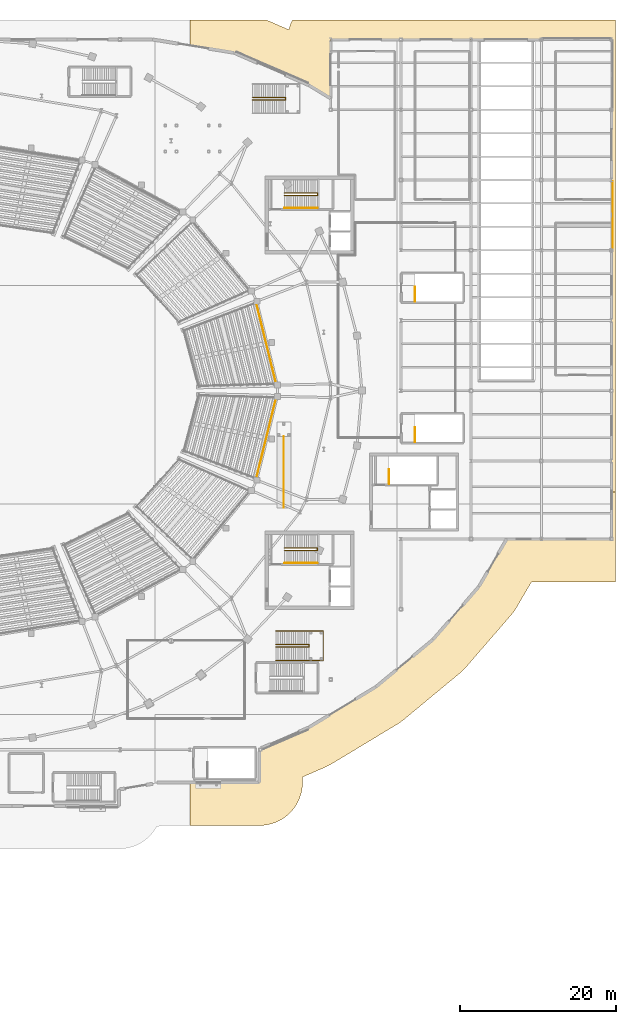
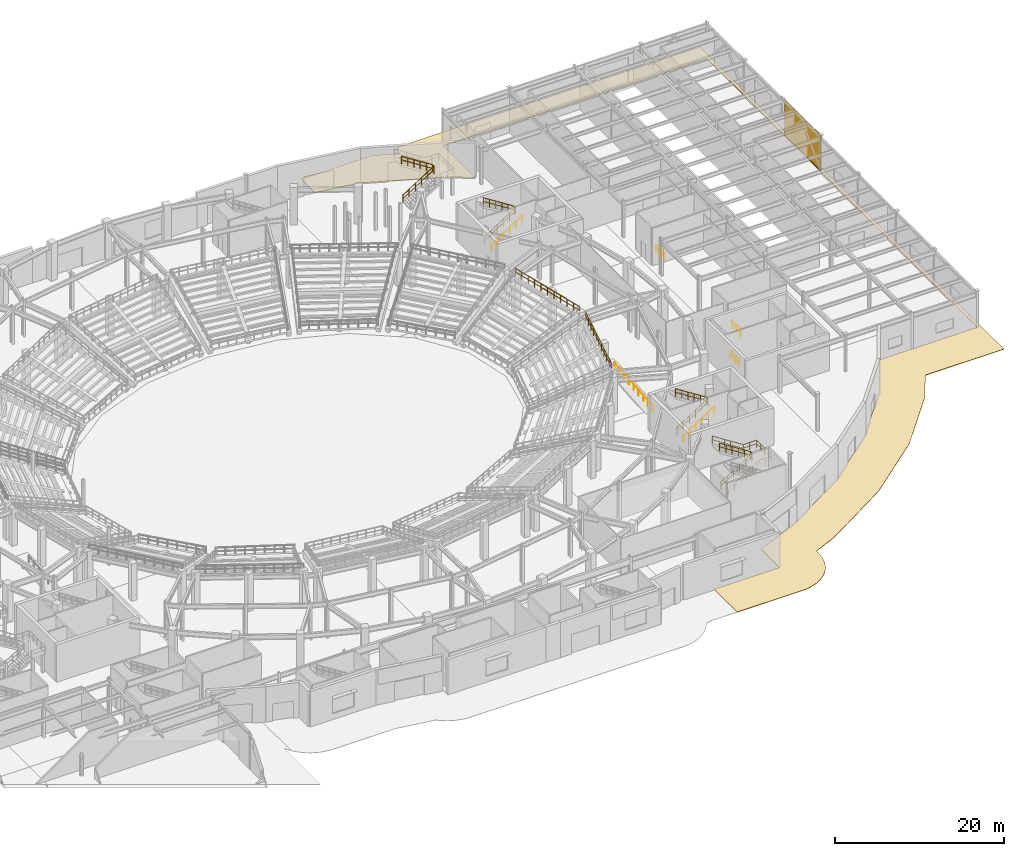
# One storey, part 78 of 79: 13 railings, 3 coverings.
"""IFC4 building model written with IfcOpenShell, lengths in metres."""

from ifc_helpers import new_model, si_unit, direction, frame, origin, origin_2d, place, context, subcontext, project, spatial, polyline, rectangle, circle, outline, extrude, material, layer, layer_set, type_object, element, save


model = new_model("IFC4")

# Units and contexts
model_context = context("Model", 3, precision=1e-05, world=origin(), true_north=direction((0.0, 1.0)))
body_context = subcontext(model_context, "Body", "Model", "MODEL_VIEW")
ifc_project = project(units=[si_unit("LENGTHUNIT", "METRE"), si_unit("AREAUNIT", "SQUARE_METRE"), si_unit("VOLUMEUNIT", "CUBIC_METRE"), si_unit("PLANEANGLEUNIT", "RADIAN"), si_unit("MASSUNIT", "GRAM", prefix="KILO")], contexts=[model_context])

# Site, building, storey
site_placement = place(None, origin())
site = spatial("IfcSite", under=ifc_project, at=site_placement, CompositionType="ELEMENT")
building_placement = place(site_placement, origin())
building = spatial("IfcBuilding", under=site, at=building_placement, Name="Glasvene Arena", CompositionType="ELEMENT")
storey_placement = place(building_placement, origin())
storey = spatial("IfcBuildingStorey", under=building, at=storey_placement, Name="L00", CompositionType="ELEMENT", Elevation=0.0)

# Coverings
ifc_material_1 = material(Name="Coursed pale Irish limestone", Category="masonry")
ifc_layer_1 = layer(ifc_material_1, 0.050048828125)
ifc_layer_set_1 = layer_set([ifc_layer_1], Name="Coursed pale Irish limestone")
covering_type_1 = type_object("IfcCoveringType", Name="COV-CLAD-LIM", PredefinedType="CLADDING", material=ifc_layer_set_1)
covering_1_placement = place(storey_placement, frame((174.139892578125, 95.501708984375, 0.0), z_axis=(0.0, 0.0, 1.0), x_axis=(0.0, -1.0, 0.0)))
element("IfcCovering", 1, at=covering_1_placement, inside=storey, type_object=covering_type_1, Name="Braced bay architectural cladding screen L00-039", PredefinedType="CLADDING", context=body_context, shape_type="SweptSolid", body=[
    extrude(rectangle(XDim=8.6328125, YDim=0.050048828125, at=origin_2d()), origin(), (0.0, 0.0, 1.0), 5.1201171875),
])
ifc_material_2 = material(Name="Irish silver-grey granite paving", Category="masonry")
ifc_layer_2 = layer(ifc_material_2, 0.06005859375)
ifc_layer_set_2 = layer_set([ifc_layer_2], Name="Irish silver-grey granite paving")
covering_type_2 = type_object("IfcCoveringType", Name="COV-PLAZA-GRAN", PredefinedType="FLOORING", material=ifc_layer_set_2)
covering_2_placement = place(storey_placement, frame((143.87646484375, 30.844970703125, -0.06005859375)))
element("IfcCovering", 2, at=covering_2_placement, inside=storey, type_object=covering_type_2, Name="Perimeter granite street plaza paving 05", PredefinedType="FLOORING", context=body_context, shape_type="SweptSolid", body=[
    extrude(outline(polyline([(30.62353515625, 17.6796875), (30.12353515625, 17.655029296875), (19.857666015625, 17.655029296875), (17.88916015625, 14.29150390625), (17.613525390625, 13.866943359375), (17.30029296875, 13.469482421875), (11.409423828125, 6.666015625), (11.09814453125, 6.335205078125), (10.7607421875, 6.03125), (3.4384765625, -0.036376953125), (3.114990234375, -0.28466796875), (2.774169921875, -0.50830078125), (-5.799072265625, -5.6904296875), (-6.45556640625, -6.029296875), (-9.4765625, -7.33935546875), (-9.4765625, -8.044921875), (-9.5029296875, -8.583984375), (-9.582275390625, -9.117919921875), (-9.71337890625, -9.6416015625), (-9.895263671875, -10.149658203125), (-10.1259765625, -10.6376953125), (-10.4033203125, -11.1005859375), (-10.724853515625, -11.5341796875), (-11.08740234375, -11.93408203125), (-11.4873046875, -12.296630859375), (-11.9208984375, -12.6181640625), (-12.3837890625, -12.8955078125), (-12.87158203125, -13.126220703125), (-13.3798828125, -13.30810546875), (-13.903564453125, -13.439208984375), (-14.437255859375, -13.5185546875), (-14.9765625, -13.544921875), (-23.87646484375, -13.544921875), (-23.87646484375, -8.054931640625), (-14.9765625, -8.054931640625), (-14.966552734375, -3.736328125), (-8.638916015625, -0.9921875), (-0.065673828125, 4.18994140625), (7.2578125, 10.258544921875), (13.150390625, 17.063720703125), (16.709716796875, 23.14501953125), (30.12353515625, 23.14501953125), (30.133544921875, 29.155029296875), (30.62353515625, 29.155029296875), (30.62353515625, 17.6796875)])), origin(), (0.0, 0.0, 1.0), 0.06005859375),
])
covering_3_placement = place(storey_placement, frame((142.3369140625, 110.20947265625, -0.06005859375)))
element("IfcCovering", 3, at=covering_3_placement, inside=storey, type_object=covering_type_2, Name="Perimeter granite street plaza paving 06", PredefinedType="FLOORING", context=body_context, shape_type="SweptSolid", body=[
    extrude(outline(polyline([(-12.56103515625, 10.29052734375), (-9.68603515625, 9.043701171875), (-9.60009765625, 9.38720703125), (-9.418212890625, 9.895263671875), (-9.231201171875, 10.29052734375), (32.1630859375, 10.29052734375), (32.1630859375, -50.20947265625), (31.673095703125, -50.20947265625), (31.673095703125, 7.79052734375), (-4.3388671875, 7.80029296875), (-4.346923828125, 0.27392578125), (-7.1005859375, 1.938232421875), (-16.714599609375, 6.107666015625), (-22.3369140625, 7.021240234375), (-22.3369140625, 10.29052734375), (-12.56103515625, 10.29052734375)])), origin(), (0.0, 0.0, 1.0), 0.06005859375),
])

# Railings
ifc_material_3 = material(Name="Brushed stainless steel", Category="steel")
railing_type_1 = type_object("IfcRailingType", Name="RL-GUARD-1100", PredefinedType="GUARDRAIL", material=ifc_material_3)
railing_1_placement = place(storey_placement, frame((132.10009765625, 98.010009765625, 0.0)))
element("IfcRailing", 4, at=railing_1_placement, inside=storey, type_object=railing_type_1, Name="Stair inner well continuous guardrail ST-02-L00", PredefinedType="GUARDRAIL", context=body_context, shape_type="SweptSolid", body=[
    extrude(circle(Radius=0.02392578125, at=origin_2d()), frame((0.0, 0.0, 1.076171875), z_axis=(0.843501457581, 0.0, 0.537126885437), x_axis=(0.0, 1.0, 0.0)), (0.0, 0.0, 1.0), 5.026611328125),
    extrude(circle(Radius=0.01611328125, at=origin_2d()), frame((0.0, 0.0, 0.550048828125), z_axis=(0.843501457581, 0.0, 0.537126885437), x_axis=(0.0, 1.0, 0.0)), (0.0, 0.0, 1.0), 5.026611328125),
    extrude(circle(Radius=0.02392578125, at=origin_2d()), frame((4.239990234375, 0.0, 3.77587890625), z_axis=(0.0, 1.0, 0.0), x_axis=(-1.0, 0.0, 0.0)), (0.0, 0.0, 1.0), 0.330078125),
    extrude(circle(Radius=0.01611328125, at=origin_2d()), frame((4.239990234375, 0.0, 3.25), z_axis=(0.0, 1.0, 0.0), x_axis=(-1.0, 0.0, 0.0)), (0.0, 0.0, 1.0), 0.330078125),
    extrude(circle(Radius=0.02392578125, at=origin_2d()), frame((4.239990234375, 0.330078125, 3.77587890625), z_axis=(-0.843501457581, 0.0, 0.537126885437), x_axis=(0.0, -1.0, 0.0)), (0.0, 0.0, 1.0), 5.026611328125),
    extrude(circle(Radius=0.01611328125, at=origin_2d()), frame((4.239990234375, 0.330078125, 3.25), z_axis=(-0.843501457581, 0.0, 0.537126885437), x_axis=(0.0, -1.0, 0.0)), (0.0, 0.0, 1.0), 5.026611328125),
    extrude(circle(Radius=0.02099609375, at=origin_2d()), origin(), (0.0, 0.0, 1.0), 1.052001953125),
    extrude(circle(Radius=0.02099609375, at=origin_2d()), frame((0.847900390625, 0.0, 0.5400390625)), (0.0, 0.0, 1.0), 1.052001953125),
    extrude(circle(Radius=0.02099609375, at=origin_2d()), frame((1.696044921875, 0.0, 1.080078125)), (0.0, 0.0, 1.0), 1.052001953125),
    extrude(circle(Radius=0.02099609375, at=origin_2d()), frame((2.5439453125, 0.0, 1.619873046875)), (0.0, 0.0, 1.0), 1.052001953125),
    extrude(circle(Radius=0.02099609375, at=origin_2d()), frame((3.39208984375, 0.0, 2.159912109375)), (0.0, 0.0, 1.0), 1.052001953125),
    extrude(circle(Radius=0.02099609375, at=origin_2d()), frame((4.239990234375, 0.0, 2.699951171875)), (0.0, 0.0, 1.0), 1.052001953125),
    extrude(circle(Radius=0.02099609375, at=origin_2d()), frame((4.239990234375, 0.330078125, 2.699951171875)), (0.0, 0.0, 1.0), 1.052001953125),
    extrude(circle(Radius=0.02099609375, at=origin_2d()), frame((3.39208984375, 0.330078125, 3.239990234375)), (0.0, 0.0, 1.0), 1.052001953125),
    extrude(circle(Radius=0.02099609375, at=origin_2d()), frame((2.5439453125, 0.330078125, 3.780029296875)), (0.0, 0.0, 1.0), 1.052001953125),
    extrude(circle(Radius=0.02099609375, at=origin_2d()), frame((1.696044921875, 0.330078125, 4.31982421875)), (0.0, 0.0, 1.0), 1.052001953125),
    extrude(circle(Radius=0.02099609375, at=origin_2d()), frame((0.847900390625, 0.330078125, 4.85986328125)), (0.0, 0.0, 1.0), 1.052001953125),
    extrude(circle(Radius=0.02099609375, at=origin_2d()), frame((0.0, 0.330078125, 5.39990234375)), (0.0, 0.0, 1.0), 1.052001953125),
])
railing_2_placement = place(storey_placement, frame((132.10009765625, 52.510009765625, 0.0)))
element("IfcRailing", 5, at=railing_2_placement, inside=storey, type_object=railing_type_1, Name="Stair inner well continuous guardrail ST-04-L00", PredefinedType="GUARDRAIL", context=body_context, shape_type="SweptSolid", body=[
    extrude(circle(Radius=0.02392578125, at=origin_2d()), frame((0.0, 0.0, 1.076171875), z_axis=(0.843501457581, 0.0, 0.537126885437), x_axis=(0.0, 1.0, 0.0)), (0.0, 0.0, 1.0), 5.026611328125),
    extrude(circle(Radius=0.01611328125, at=origin_2d()), frame((0.0, 0.0, 0.550048828125), z_axis=(0.843501457581, 0.0, 0.537126885437), x_axis=(0.0, 1.0, 0.0)), (0.0, 0.0, 1.0), 5.026611328125),
    extrude(circle(Radius=0.02392578125, at=origin_2d()), frame((4.239990234375, 0.0, 3.77587890625), z_axis=(0.0, 1.0, 0.0), x_axis=(-1.0, 0.0, 0.0)), (0.0, 0.0, 1.0), 0.330078125),
    extrude(circle(Radius=0.01611328125, at=origin_2d()), frame((4.239990234375, 0.0, 3.25), z_axis=(0.0, 1.0, 0.0), x_axis=(-1.0, 0.0, 0.0)), (0.0, 0.0, 1.0), 0.330078125),
    extrude(circle(Radius=0.02392578125, at=origin_2d()), frame((4.239990234375, 0.330078125, 3.77587890625), z_axis=(-0.843501457581, 0.0, 0.537126885437), x_axis=(0.0, -1.0, 0.0)), (0.0, 0.0, 1.0), 5.026611328125),
    extrude(circle(Radius=0.01611328125, at=origin_2d()), frame((4.239990234375, 0.330078125, 3.25), z_axis=(-0.843501457581, 0.0, 0.537126885437), x_axis=(0.0, -1.0, 0.0)), (0.0, 0.0, 1.0), 5.026611328125),
    extrude(circle(Radius=0.02099609375, at=origin_2d()), origin(), (0.0, 0.0, 1.0), 1.052001953125),
    extrude(circle(Radius=0.02099609375, at=origin_2d()), frame((0.847900390625, 0.0, 0.5400390625)), (0.0, 0.0, 1.0), 1.052001953125),
    extrude(circle(Radius=0.02099609375, at=origin_2d()), frame((1.696044921875, 0.0, 1.080078125)), (0.0, 0.0, 1.0), 1.052001953125),
    extrude(circle(Radius=0.02099609375, at=origin_2d()), frame((2.5439453125, 0.0, 1.619873046875)), (0.0, 0.0, 1.0), 1.052001953125),
    extrude(circle(Radius=0.02099609375, at=origin_2d()), frame((3.39208984375, 0.0, 2.159912109375)), (0.0, 0.0, 1.0), 1.052001953125),
    extrude(circle(Radius=0.02099609375, at=origin_2d()), frame((4.239990234375, 0.0, 2.699951171875)), (0.0, 0.0, 1.0), 1.052001953125),
    extrude(circle(Radius=0.02099609375, at=origin_2d()), frame((4.239990234375, 0.330078125, 2.699951171875)), (0.0, 0.0, 1.0), 1.052001953125),
    extrude(circle(Radius=0.02099609375, at=origin_2d()), frame((3.39208984375, 0.330078125, 3.239990234375)), (0.0, 0.0, 1.0), 1.052001953125),
    extrude(circle(Radius=0.02099609375, at=origin_2d()), frame((2.5439453125, 0.330078125, 3.780029296875)), (0.0, 0.0, 1.0), 1.052001953125),
    extrude(circle(Radius=0.02099609375, at=origin_2d()), frame((1.696044921875, 0.330078125, 4.31982421875)), (0.0, 0.0, 1.0), 1.052001953125),
    extrude(circle(Radius=0.02099609375, at=origin_2d()), frame((0.847900390625, 0.330078125, 4.85986328125)), (0.0, 0.0, 1.0), 1.052001953125),
    extrude(circle(Radius=0.02099609375, at=origin_2d()), frame((0.0, 0.330078125, 5.39990234375)), (0.0, 0.0, 1.0), 1.052001953125),
])
railing_3_placement = place(storey_placement, frame((145.5, 61.050048828125, 0.0)))
element("IfcRailing", 6, at=railing_3_placement, inside=storey, type_object=railing_type_1, Name="Stair top landing well guard ST-B01", PredefinedType="GUARDRAIL", context=body_context, shape_type="SweptSolid", body=[
    extrude(circle(Radius=0.02392578125, at=origin_2d()), frame((0.0, 0.0, 1.076171875), z_axis=(0.0, 1.0, 0.0), x_axis=(-1.0, 0.0, 0.0)), (0.0, 0.0, 1.0), 1.89990234375),
    extrude(circle(Radius=0.01611328125, at=origin_2d()), frame((0.0, 0.0, 0.550048828125), z_axis=(0.0, 1.0, 0.0), x_axis=(-1.0, 0.0, 0.0)), (0.0, 0.0, 1.0), 1.89990234375),
    extrude(circle(Radius=0.02099609375, at=origin_2d()), origin(), (0.0, 0.0, 1.0), 1.052001953125),
    extrude(circle(Radius=0.02099609375, at=origin_2d()), frame((0.0, 0.949951171875, 0.0)), (0.0, 0.0, 1.0), 1.052001953125),
    extrude(circle(Radius=0.02099609375, at=origin_2d()), frame((0.0, 1.89990234375, 0.0)), (0.0, 0.0, 1.0), 1.052001953125),
])
for number, where, name in (
    (7, (148.800048828125, 66.39990234375, 0.0), "Stair top landing well guard ST-B04"),
    (8, (148.800048828125, 84.39990234375, 0.0), "Stair top landing well guard ST-B05"),
):
    element("IfcRailing", number, at=place(storey_placement, frame(where)), inside=storey, type_object=railing_type_1, Name=name, PredefinedType="GUARDRAIL", context=body_context, shape_type="SweptSolid", body=[
        extrude(circle(Radius=0.02392578125, at=origin_2d()), frame((0.0, 0.0, 1.076171875), z_axis=(0.0, 1.0, 0.0), x_axis=(-1.0, 0.0, 0.0)), (0.0, 0.0, 1.0), 1.900146484375),
        extrude(circle(Radius=0.01611328125, at=origin_2d()), frame((0.0, 0.0, 0.550048828125), z_axis=(0.0, 1.0, 0.0), x_axis=(-1.0, 0.0, 0.0)), (0.0, 0.0, 1.0), 1.900146484375),
        extrude(circle(Radius=0.02099609375, at=origin_2d()), origin(), (0.0, 0.0, 1.0), 1.052001953125),
        extrude(circle(Radius=0.02099609375, at=origin_2d()), frame((0.0, 0.9501953125, 0.0)), (0.0, 0.0, 1.0), 1.052001953125),
        extrude(circle(Radius=0.02099609375, at=origin_2d()), frame((0.0, 1.900146484375, 0.0)), (0.0, 0.0, 1.0), 1.052001953125),
    ])
railing_4_placement = place(storey_placement, frame((131.0, 38.449951171875, 0.0)))
element("IfcRailing", 9, at=railing_4_placement, inside=storey, type_object=railing_type_1, Name="Vomitory Stair outer guard VOM-02", PredefinedType="GUARDRAIL", context=body_context, shape_type="SweptSolid", body=[
    extrude(circle(Radius=0.02392578125, at=origin_2d()), frame((0.0, 0.0, 1.076171875), z_axis=(0.841180064094, 0.0, 0.540755119968), x_axis=(0.0, 1.0, 0.0)), (0.0, 0.0, 1.0), 4.992919921875),
    extrude(circle(Radius=0.01611328125, at=origin_2d()), frame((0.0, 0.0, 0.550048828125), z_axis=(0.841180064094, 0.0, 0.540755119968), x_axis=(0.0, 1.0, 0.0)), (0.0, 0.0, 1.0), 4.992919921875),
    extrude(circle(Radius=0.02392578125, at=origin_2d()), frame((4.199951171875, 0.0, 3.77587890625), z_axis=(1.0, 0.0, 0.0), x_axis=(0.0, 1.0, 0.0)), (0.0, 0.0, 1.0), 1.85009765625),
    extrude(circle(Radius=0.01611328125, at=origin_2d()), frame((4.199951171875, 0.0, 3.25), z_axis=(1.0, 0.0, 0.0), x_axis=(0.0, 1.0, 0.0)), (0.0, 0.0, 1.0), 1.85009765625),
    extrude(circle(Radius=0.02392578125, at=origin_2d()), frame((6.050048828125, 0.0, 3.77587890625), z_axis=(0.0, 1.0, 0.0), x_axis=(-1.0, 0.0, 0.0)), (0.0, 0.0, 1.0), 3.75),
    extrude(circle(Radius=0.01611328125, at=origin_2d()), frame((6.050048828125, 0.0, 3.25), z_axis=(0.0, 1.0, 0.0), x_axis=(-1.0, 0.0, 0.0)), (0.0, 0.0, 1.0), 3.75),
    extrude(circle(Radius=0.02392578125, at=origin_2d()), frame((6.050048828125, 3.75, 3.77587890625), z_axis=(-1.0, 0.0, 0.0), x_axis=(0.0, -1.0, 0.0)), (0.0, 0.0, 1.0), 1.85009765625),
    extrude(circle(Radius=0.01611328125, at=origin_2d()), frame((6.050048828125, 3.75, 3.25), z_axis=(-1.0, 0.0, 0.0), x_axis=(0.0, -1.0, 0.0)), (0.0, 0.0, 1.0), 1.85009765625),
    extrude(circle(Radius=0.02392578125, at=origin_2d()), frame((4.199951171875, 3.75, 3.77587890625), z_axis=(-0.841180064094, 0.0, 0.540755119968), x_axis=(0.0, -1.0, 0.0)), (0.0, 0.0, 1.0), 4.992919921875),
    extrude(circle(Radius=0.01611328125, at=origin_2d()), frame((4.199951171875, 3.75, 3.25), z_axis=(-0.841180064094, 0.0, 0.540755119968), x_axis=(0.0, -1.0, 0.0)), (0.0, 0.0, 1.0), 4.992919921875),
    extrude(circle(Radius=0.02099609375, at=origin_2d()), origin(), (0.0, 0.0, 1.0), 1.052001953125),
    extrude(circle(Radius=0.02099609375, at=origin_2d()), frame((0.840087890625, 0.0, 0.5400390625)), (0.0, 0.0, 1.0), 1.052001953125),
    extrude(circle(Radius=0.02099609375, at=origin_2d()), frame((1.679931640625, 0.0, 1.080078125)), (0.0, 0.0, 1.0), 1.052001953125),
    extrude(circle(Radius=0.02099609375, at=origin_2d()), frame((2.52001953125, 0.0, 1.619873046875)), (0.0, 0.0, 1.0), 1.052001953125),
    extrude(circle(Radius=0.02099609375, at=origin_2d()), frame((3.35986328125, 0.0, 2.159912109375)), (0.0, 0.0, 1.0), 1.052001953125),
    extrude(circle(Radius=0.02099609375, at=origin_2d()), frame((4.199951171875, 0.0, 2.699951171875)), (0.0, 0.0, 1.0), 1.052001953125),
    extrude(circle(Radius=0.02099609375, at=origin_2d()), frame((5.125, 0.0, 2.699951171875)), (0.0, 0.0, 1.0), 1.052001953125),
    extrude(circle(Radius=0.02099609375, at=origin_2d()), frame((6.050048828125, 0.0, 2.699951171875)), (0.0, 0.0, 1.0), 1.052001953125),
    extrude(circle(Radius=0.02099609375, at=origin_2d()), frame((6.050048828125, 0.9375, 2.699951171875)), (0.0, 0.0, 1.0), 1.052001953125),
    extrude(circle(Radius=0.02099609375, at=origin_2d()), frame((6.050048828125, 1.875, 2.699951171875)), (0.0, 0.0, 1.0), 1.052001953125),
    extrude(circle(Radius=0.02099609375, at=origin_2d()), frame((6.050048828125, 2.8125, 2.699951171875)), (0.0, 0.0, 1.0), 1.052001953125),
    extrude(circle(Radius=0.02099609375, at=origin_2d()), frame((6.050048828125, 3.75, 2.699951171875)), (0.0, 0.0, 1.0), 1.052001953125),
    extrude(circle(Radius=0.02099609375, at=origin_2d()), frame((5.125, 3.75, 2.699951171875)), (0.0, 0.0, 1.0), 1.052001953125),
    extrude(circle(Radius=0.02099609375, at=origin_2d()), frame((4.199951171875, 3.75, 2.699951171875)), (0.0, 0.0, 1.0), 1.052001953125),
    extrude(circle(Radius=0.02099609375, at=origin_2d()), frame((3.35986328125, 3.75, 3.239990234375)), (0.0, 0.0, 1.0), 1.052001953125),
    extrude(circle(Radius=0.02099609375, at=origin_2d()), frame((2.52001953125, 3.75, 3.780029296875)), (0.0, 0.0, 1.0), 1.052001953125),
    extrude(circle(Radius=0.02099609375, at=origin_2d()), frame((1.679931640625, 3.75, 4.31982421875)), (0.0, 0.0, 1.0), 1.052001953125),
    extrude(circle(Radius=0.02099609375, at=origin_2d()), frame((0.840087890625, 3.75, 4.85986328125)), (0.0, 0.0, 1.0), 1.052001953125),
    extrude(circle(Radius=0.02099609375, at=origin_2d()), frame((0.0, 3.75, 5.39990234375)), (0.0, 0.0, 1.0), 1.052001953125),
])
railing_5_placement = place(storey_placement, frame((131.0, 40.159912109375, 0.0)))
element("IfcRailing", 10, at=railing_5_placement, inside=storey, type_object=railing_type_1, Name="Vomitory Stair inner well guard VOM-02", PredefinedType="GUARDRAIL", context=body_context, shape_type="SweptSolid", body=[
    extrude(circle(Radius=0.02392578125, at=origin_2d()), frame((0.0, 0.0, 1.076171875), z_axis=(0.843501457581, 0.0, 0.537126885437), x_axis=(0.0, 1.0, 0.0)), (0.0, 0.0, 1.0), 5.026611328125),
    extrude(circle(Radius=0.01611328125, at=origin_2d()), frame((0.0, 0.0, 0.550048828125), z_axis=(0.843501457581, 0.0, 0.537126885437), x_axis=(0.0, 1.0, 0.0)), (0.0, 0.0, 1.0), 5.026611328125),
    extrude(circle(Radius=0.02392578125, at=origin_2d()), frame((4.239990234375, 0.0, 3.77587890625), z_axis=(0.0, 1.0, 0.0), x_axis=(-1.0, 0.0, 0.0)), (0.0, 0.0, 1.0), 0.330078125),
    extrude(circle(Radius=0.01611328125, at=origin_2d()), frame((4.239990234375, 0.0, 3.25), z_axis=(0.0, 1.0, 0.0), x_axis=(-1.0, 0.0, 0.0)), (0.0, 0.0, 1.0), 0.330078125),
    extrude(circle(Radius=0.02392578125, at=origin_2d()), frame((4.239990234375, 0.330078125, 3.77587890625), z_axis=(-0.843501457581, 0.0, 0.537126885437), x_axis=(0.0, -1.0, 0.0)), (0.0, 0.0, 1.0), 5.026611328125),
    extrude(circle(Radius=0.01611328125, at=origin_2d()), frame((4.239990234375, 0.330078125, 3.25), z_axis=(-0.843501457581, 0.0, 0.537126885437), x_axis=(0.0, -1.0, 0.0)), (0.0, 0.0, 1.0), 5.026611328125),
    extrude(circle(Radius=0.02099609375, at=origin_2d()), origin(), (0.0, 0.0, 1.0), 1.052001953125),
    extrude(circle(Radius=0.02099609375, at=origin_2d()), frame((0.847900390625, 0.0, 0.5400390625)), (0.0, 0.0, 1.0), 1.052001953125),
    extrude(circle(Radius=0.02099609375, at=origin_2d()), frame((1.696044921875, 0.0, 1.080078125)), (0.0, 0.0, 1.0), 1.052001953125),
    extrude(circle(Radius=0.02099609375, at=origin_2d()), frame((2.5439453125, 0.0, 1.619873046875)), (0.0, 0.0, 1.0), 1.052001953125),
    extrude(circle(Radius=0.02099609375, at=origin_2d()), frame((3.39208984375, 0.0, 2.159912109375)), (0.0, 0.0, 1.0), 1.052001953125),
    extrude(circle(Radius=0.02099609375, at=origin_2d()), frame((4.239990234375, 0.0, 2.699951171875)), (0.0, 0.0, 1.0), 1.052001953125),
    extrude(circle(Radius=0.02099609375, at=origin_2d()), frame((4.239990234375, 0.330078125, 2.699951171875)), (0.0, 0.0, 1.0), 1.052001953125),
    extrude(circle(Radius=0.02099609375, at=origin_2d()), frame((3.39208984375, 0.330078125, 3.239990234375)), (0.0, 0.0, 1.0), 1.052001953125),
    extrude(circle(Radius=0.02099609375, at=origin_2d()), frame((2.5439453125, 0.330078125, 3.780029296875)), (0.0, 0.0, 1.0), 1.052001953125),
    extrude(circle(Radius=0.02099609375, at=origin_2d()), frame((1.696044921875, 0.330078125, 4.31982421875)), (0.0, 0.0, 1.0), 1.052001953125),
    extrude(circle(Radius=0.02099609375, at=origin_2d()), frame((0.847900390625, 0.330078125, 4.85986328125)), (0.0, 0.0, 1.0), 1.052001953125),
    extrude(circle(Radius=0.02099609375, at=origin_2d()), frame((0.0, 0.330078125, 5.39990234375)), (0.0, 0.0, 1.0), 1.052001953125),
])
railing_6_placement = place(storey_placement, frame((128.0, 110.260009765625, 0.0)))
element("IfcRailing", 11, at=railing_6_placement, inside=storey, type_object=railing_type_1, Name="Vomitory Stair inner well guard VOM-04", PredefinedType="GUARDRAIL", context=body_context, shape_type="SweptSolid", body=[
    extrude(circle(Radius=0.02392578125, at=origin_2d()), frame((0.0, 0.0, 1.076171875), z_axis=(0.843501457581, 0.0, 0.537126885437), x_axis=(0.0, 1.0, 0.0)), (0.0, 0.0, 1.0), 5.026611328125),
    extrude(circle(Radius=0.01611328125, at=origin_2d()), frame((0.0, 0.0, 0.550048828125), z_axis=(0.843501457581, 0.0, 0.537126885437), x_axis=(0.0, 1.0, 0.0)), (0.0, 0.0, 1.0), 5.026611328125),
    extrude(circle(Radius=0.02392578125, at=origin_2d()), frame((4.239990234375, 0.0, 3.77587890625), z_axis=(0.0, 1.0, 0.0), x_axis=(-1.0, 0.0, 0.0)), (0.0, 0.0, 1.0), 0.330078125),
    extrude(circle(Radius=0.01611328125, at=origin_2d()), frame((4.239990234375, 0.0, 3.25), z_axis=(0.0, 1.0, 0.0), x_axis=(-1.0, 0.0, 0.0)), (0.0, 0.0, 1.0), 0.330078125),
    extrude(circle(Radius=0.02392578125, at=origin_2d()), frame((4.239990234375, 0.330078125, 3.77587890625), z_axis=(-0.843501457581, 0.0, 0.537126885437), x_axis=(0.0, -1.0, 0.0)), (0.0, 0.0, 1.0), 5.026611328125),
    extrude(circle(Radius=0.01611328125, at=origin_2d()), frame((4.239990234375, 0.330078125, 3.25), z_axis=(-0.843501457581, 0.0, 0.537126885437), x_axis=(0.0, -1.0, 0.0)), (0.0, 0.0, 1.0), 5.026611328125),
    extrude(circle(Radius=0.02099609375, at=origin_2d()), origin(), (0.0, 0.0, 1.0), 1.052001953125),
    extrude(circle(Radius=0.02099609375, at=origin_2d()), frame((0.847900390625, 0.0, 0.5400390625)), (0.0, 0.0, 1.0), 1.052001953125),
    extrude(circle(Radius=0.02099609375, at=origin_2d()), frame((1.696044921875, 0.0, 1.080078125)), (0.0, 0.0, 1.0), 1.052001953125),
    extrude(circle(Radius=0.02099609375, at=origin_2d()), frame((2.5439453125, 0.0, 1.619873046875)), (0.0, 0.0, 1.0), 1.052001953125),
    extrude(circle(Radius=0.02099609375, at=origin_2d()), frame((3.39208984375, 0.0, 2.159912109375)), (0.0, 0.0, 1.0), 1.052001953125),
    extrude(circle(Radius=0.02099609375, at=origin_2d()), frame((4.239990234375, 0.0, 2.699951171875)), (0.0, 0.0, 1.0), 1.052001953125),
    extrude(circle(Radius=0.02099609375, at=origin_2d()), frame((4.239990234375, 0.330078125, 2.699951171875)), (0.0, 0.0, 1.0), 1.052001953125),
    extrude(circle(Radius=0.02099609375, at=origin_2d()), frame((3.39208984375, 0.330078125, 3.239990234375)), (0.0, 0.0, 1.0), 1.052001953125),
    extrude(circle(Radius=0.02099609375, at=origin_2d()), frame((2.5439453125, 0.330078125, 3.780029296875)), (0.0, 0.0, 1.0), 1.052001953125),
    extrude(circle(Radius=0.02099609375, at=origin_2d()), frame((1.696044921875, 0.330078125, 4.31982421875)), (0.0, 0.0, 1.0), 1.052001953125),
    extrude(circle(Radius=0.02099609375, at=origin_2d()), frame((0.847900390625, 0.330078125, 4.85986328125)), (0.0, 0.0, 1.0), 1.052001953125),
    extrude(circle(Radius=0.02099609375, at=origin_2d()), frame((0.0, 0.330078125, 5.39990234375)), (0.0, 0.0, 1.0), 1.052001953125),
])
railing_7_placement = place(storey_placement, frame((131.06982421875, 73.716552734375, 4.93994140625)))
element("IfcRailing", 12, at=railing_7_placement, inside=storey, type_object=railing_type_1, Name="Safety guardrail GD-TL-LR-01-001", PredefinedType="GUARDRAIL", context=body_context, shape_type="SweptSolid", body=[
    extrude(circle(Radius=0.02392578125, at=origin_2d()), frame((0.0, 0.0, 1.076171875), z_axis=(-0.239000734446, 0.971019386487, 0.0), x_axis=(-0.971019386487, -0.239000734446, 0.0)), (0.0, 0.0, 1.0), 11.02294921875),
    extrude(circle(Radius=0.01611328125, at=origin_2d()), frame((0.0, 0.0, 0.550048828125), z_axis=(-0.239000734446, 0.971019386487, 0.0), x_axis=(-0.971019386487, -0.239000734446, 0.0)), (0.0, 0.0, 1.0), 11.02294921875),
    extrude(circle(Radius=0.02099609375, at=origin_2d()), origin(), (0.0, 0.0, 1.0), 1.052001953125),
    extrude(circle(Radius=0.02099609375, at=origin_2d()), frame((-0.263427734375, 1.0703125, 0.0)), (0.0, 0.0, 1.0), 1.052001953125),
    extrude(circle(Radius=0.02099609375, at=origin_2d()), frame((-0.52685546875, 2.140625, 0.0)), (0.0, 0.0, 1.0), 1.052001953125),
    extrude(circle(Radius=0.02099609375, at=origin_2d()), frame((-0.790283203125, 3.211181640625, 0.0)), (0.0, 0.0, 1.0), 1.052001953125),
    extrude(circle(Radius=0.02099609375, at=origin_2d()), frame((-1.0537109375, 4.281494140625, 0.0)), (0.0, 0.0, 1.0), 1.052001953125),
    extrude(circle(Radius=0.02099609375, at=origin_2d()), frame((-1.3173828125, 5.351806640625, 0.0)), (0.0, 0.0, 1.0), 1.052001953125),
    extrude(circle(Radius=0.02099609375, at=origin_2d()), frame((-1.580810546875, 6.422119140625, 0.0)), (0.0, 0.0, 1.0), 1.052001953125),
    extrude(circle(Radius=0.02099609375, at=origin_2d()), frame((-1.84423828125, 7.492431640625, 0.0)), (0.0, 0.0, 1.0), 1.052001953125),
    extrude(circle(Radius=0.02099609375, at=origin_2d()), frame((-2.107666015625, 8.56298828125, 0.0)), (0.0, 0.0, 1.0), 1.052001953125),
    extrude(circle(Radius=0.02099609375, at=origin_2d()), frame((-2.37109375, 9.63330078125, 0.0)), (0.0, 0.0, 1.0), 1.052001953125),
    extrude(circle(Radius=0.02099609375, at=origin_2d()), frame((-2.634521484375, 10.70361328125, 0.0)), (0.0, 0.0, 1.0), 1.052001953125),
])
railing_8_placement = place(storey_placement, frame((128.435302734375, 61.579833984375, 4.93994140625)))
element("IfcRailing", 13, at=railing_8_placement, inside=storey, type_object=railing_type_1, Name="Safety guardrail GD-TL-LR-16-001", PredefinedType="GUARDRAIL", context=body_context, shape_type="SweptSolid", body=[
    extrude(circle(Radius=0.02392578125, at=origin_2d()), frame((0.0, 0.0, 1.076171875), z_axis=(0.239000734446, 0.971019386487, 0.0), x_axis=(-0.971019386487, 0.239000734446, 0.0)), (0.0, 0.0, 1.0), 11.02294921875),
    extrude(circle(Radius=0.01611328125, at=origin_2d()), frame((0.0, 0.0, 0.550048828125), z_axis=(0.239000734446, 0.971019386487, 0.0), x_axis=(-0.971019386487, 0.239000734446, 0.0)), (0.0, 0.0, 1.0), 11.02294921875),
    extrude(circle(Radius=0.02099609375, at=origin_2d()), origin(), (0.0, 0.0, 1.0), 1.052001953125),
    extrude(circle(Radius=0.02099609375, at=origin_2d()), frame((0.263427734375, 1.0703125, 0.0)), (0.0, 0.0, 1.0), 1.052001953125),
    extrude(circle(Radius=0.02099609375, at=origin_2d()), frame((0.52685546875, 2.140625, 0.0)), (0.0, 0.0, 1.0), 1.052001953125),
    extrude(circle(Radius=0.02099609375, at=origin_2d()), frame((0.790283203125, 3.211181640625, 0.0)), (0.0, 0.0, 1.0), 1.052001953125),
    extrude(circle(Radius=0.02099609375, at=origin_2d()), frame((1.0537109375, 4.281494140625, 0.0)), (0.0, 0.0, 1.0), 1.052001953125),
    extrude(circle(Radius=0.02099609375, at=origin_2d()), frame((1.3173828125, 5.351806640625, 0.0)), (0.0, 0.0, 1.0), 1.052001953125),
    extrude(circle(Radius=0.02099609375, at=origin_2d()), frame((1.580810546875, 6.422119140625, 0.0)), (0.0, 0.0, 1.0), 1.052001953125),
    extrude(circle(Radius=0.02099609375, at=origin_2d()), frame((1.84423828125, 7.492431640625, 0.0)), (0.0, 0.0, 1.0), 1.052001953125),
    extrude(circle(Radius=0.02099609375, at=origin_2d()), frame((2.107666015625, 8.56298828125, 0.0)), (0.0, 0.0, 1.0), 1.052001953125),
    extrude(circle(Radius=0.02099609375, at=origin_2d()), frame((2.37109375, 9.63330078125, 0.0)), (0.0, 0.0, 1.0), 1.052001953125),
    extrude(circle(Radius=0.02099609375, at=origin_2d()), frame((2.634521484375, 10.70361328125, 0.0)), (0.0, 0.0, 1.0), 1.052001953125),
])
railing_type_2 = type_object("IfcRailingType", Name="RL-HAND-950", PredefinedType="HANDRAIL", material=ifc_material_3)
for number, where, name in (
    (14, (132.10009765625, 96.409912109375, 0.0), "Stair wall handrail ST-02-L00"),
    (15, (132.10009765625, 50.909912109375, 0.0), "Stair wall handrail ST-04-L00"),
):
    element("IfcRailing", number, at=place(storey_placement, frame(where)), inside=storey, type_object=railing_type_2, Name=name, PredefinedType="HANDRAIL", context=body_context, shape_type="SweptSolid", body=[
        extrude(circle(Radius=0.02392578125, at=origin_2d()), frame((0.0, 0.0, 0.92578125), z_axis=(0.841180064094, 0.0, 0.540755119968), x_axis=(0.0, 1.0, 0.0)), (0.0, 0.0, 1.0), 4.992919921875),
        extrude(circle(Radius=0.02099609375, at=origin_2d()), origin(), (0.0, 0.0, 1.0), 0.90185546875),
        extrude(circle(Radius=0.02099609375, at=origin_2d()), frame((0.840087890625, 0.0, 0.5400390625)), (0.0, 0.0, 1.0), 0.90185546875),
        extrude(circle(Radius=0.02099609375, at=origin_2d()), frame((1.679931640625, 0.0, 1.080078125)), (0.0, 0.0, 1.0), 0.90185546875),
        extrude(circle(Radius=0.02099609375, at=origin_2d()), frame((2.52001953125, 0.0, 1.619873046875)), (0.0, 0.0, 1.0), 0.90185546875),
        extrude(circle(Radius=0.02099609375, at=origin_2d()), frame((3.35986328125, 0.0, 2.159912109375)), (0.0, 0.0, 1.0), 0.90185546875),
        extrude(circle(Radius=0.02099609375, at=origin_2d()), frame((4.199951171875, 0.0, 2.699951171875)), (0.0, 0.0, 1.0), 0.90185546875),
    ])
railing_9_placement = place(storey_placement, frame((132.0, 58.0, 0.0)))
element("IfcRailing", 16, at=railing_9_placement, inside=storey, type_object=railing_type_2, Name="Accessible ramp handrail RP-P2", PredefinedType="HANDRAIL", context=body_context, shape_type="SweptSolid", body=[
    extrude(circle(Radius=0.02392578125, at=origin_2d()), frame((0.0, 0.0, 0.92578125), z_axis=(0.0, 0.996545758245, 0.083045479854), x_axis=(-1.0, 0.0, 0.0)), (0.0, 0.0, 1.0), 9.151611328125),
    extrude(circle(Radius=0.02099609375, at=origin_2d()), origin(), (0.0, 0.0, 1.0), 0.90185546875),
    extrude(circle(Radius=0.02099609375, at=origin_2d()), frame((0.0, 1.14013671875, 0.094970703125)), (0.0, 0.0, 1.0), 0.90185546875),
    extrude(circle(Radius=0.02099609375, at=origin_2d()), frame((0.0, 2.280029296875, 0.18994140625)), (0.0, 0.0, 1.0), 0.90185546875),
    extrude(circle(Radius=0.02099609375, at=origin_2d()), frame((0.0, 3.419921875, 0.284912109375)), (0.0, 0.0, 1.0), 0.90185546875),
    extrude(circle(Radius=0.02099609375, at=origin_2d()), frame((0.0, 4.56005859375, 0.3798828125)), (0.0, 0.0, 1.0), 0.90185546875),
    extrude(circle(Radius=0.02099609375, at=origin_2d()), frame((0.0, 5.7001953125, 0.47509765625)), (0.0, 0.0, 1.0), 0.90185546875),
    extrude(circle(Radius=0.02099609375, at=origin_2d()), frame((0.0, 6.840087890625, 0.570068359375)), (0.0, 0.0, 1.0), 0.90185546875),
    extrude(circle(Radius=0.02099609375, at=origin_2d()), frame((0.0, 7.97998046875, 0.6650390625)), (0.0, 0.0, 1.0), 0.90185546875),
    extrude(circle(Radius=0.02099609375, at=origin_2d()), frame((0.0, 9.1201171875, 0.760009765625)), (0.0, 0.0, 1.0), 0.90185546875),
])

save(model, "model.ifc")
